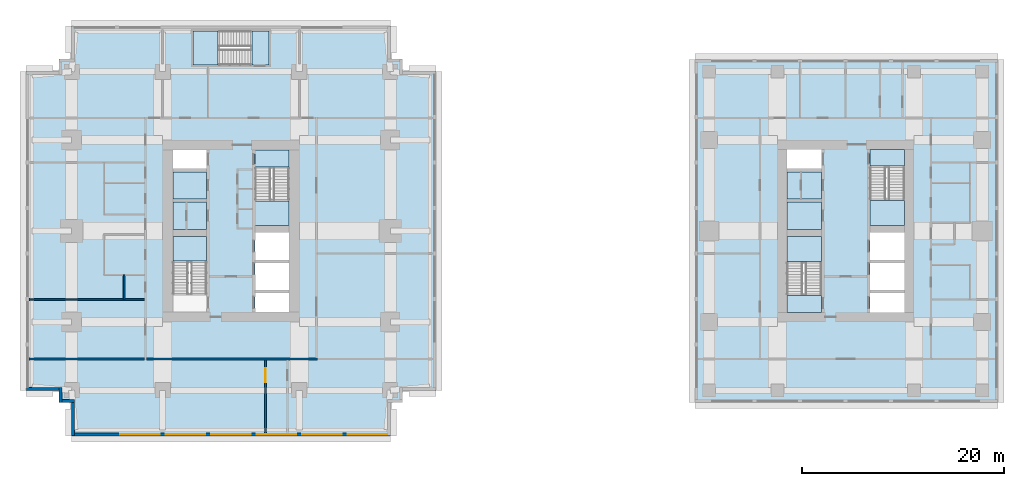
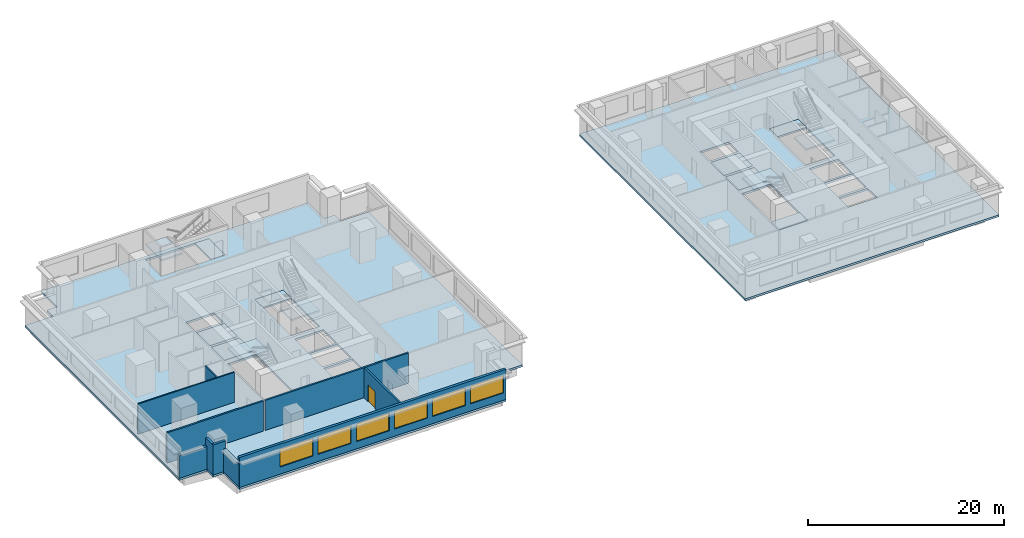
# One storey, part 2 of 11: 15 slabs, 10 walls, 6 windows, 1 door, 7 openings, 5 elements without a shape of their own.
"""IFC4 building model written with IfcOpenShell, lengths in metres."""

from ifc_helpers import new_model, si_unit, direction, frame, frame_2d, origin, place, context, subcontext, project, spatial, polyline, rectangle, outline, extrude, material, layer, layer_set, type_object, element, fill, aggregate, save


model = new_model("IFC4")

# Units and contexts
model_context = context("Model", 3, precision=1e-05, world=origin(), true_north=direction((0.0, 1.0)))
body_context = subcontext(model_context, "Body", "Model", "MODEL_VIEW")
ifc_project = project(units=[si_unit("LENGTHUNIT", "METRE"), si_unit("AREAUNIT", "SQUARE_METRE"), si_unit("VOLUMEUNIT", "CUBIC_METRE"), si_unit("PLANEANGLEUNIT", "RADIAN"), si_unit("MASSUNIT", "GRAM", prefix="KILO")], contexts=[model_context])

# Site, building, storey
site_placement = place(None, origin())
site = spatial("IfcSite", under=ifc_project, at=site_placement, CompositionType="ELEMENT")
building_placement = place(site_placement, origin())
building = spatial("IfcBuilding", under=site, at=building_placement, Name="Namib Vertical Campus", CompositionType="ELEMENT")
storey_placement = place(building_placement, frame((0.0, 0.0, 213.0)))
storey = spatial("IfcBuildingStorey", under=building, at=storey_placement, Name="L50", CompositionType="ELEMENT", Elevation=213.0)

# Slabs
ifc_material_1 = material(Name="Concrete C40/50", Category="concrete")
ifc_layer_1 = layer(ifc_material_1, 0.25)
ifc_layer_set_1 = layer_set([ifc_layer_1], Name="Concrete C40/50")
slab_type_1 = type_object("IfcSlabType", Name="Floor slab 250", PredefinedType="FLOOR", material=ifc_layer_set_1)
slab_1_placement = place(storey_placement, frame((0.0, 0.0, -0.25)))
element("IfcSlab", 1, at=slab_1_placement, inside=storey, type_object=slab_type_1, Name="Floor slab A L50", PredefinedType="FLOOR", context=body_context, shape_type="SweptSolid", body=[
    extrude(outline(polyline([(4.5, 0.0), (36.0, 0.0), (36.0, 3.27490234375), (37.22509765625, 3.27490234375), (37.22509765625, 4.5), (40.5, 4.5), (40.5, 36.0), (37.22509765625, 36.0), (37.22509765625, 37.22509765625), (36.0, 37.22509765625), (36.0, 40.5), (4.5, 40.5), (4.5, 37.22509765625), (3.27490234375, 37.22509765625), (3.27490234375, 36.0), (0.0, 36.0), (0.0, 4.5), (3.27490234375, 4.5), (3.27490234375, 3.27490234375), (4.5, 3.27490234375), (4.5, 0.0)]), holes=[polyline([(14.5, 12.25), (17.85009765625, 12.25), (17.85009765625, 19.699951171875), (14.5, 19.699951171875), (14.5, 12.25)]), polyline([(22.64990234375, 20.800048828125), (26.0, 20.800048828125), (26.0, 28.25), (22.64990234375, 28.25), (22.64990234375, 20.800048828125)]), polyline([(22.64990234375, 12.25), (26.0, 12.25), (26.0, 14.10009765625), (22.64990234375, 14.10009765625), (22.64990234375, 12.25)]), polyline([(14.5, 20.39990234375), (17.85009765625, 20.39990234375), (17.85009765625, 23.10009765625), (14.5, 23.10009765625), (14.5, 20.39990234375)]), polyline([(14.5, 23.39990234375), (17.85009765625, 23.39990234375), (17.85009765625, 26.10009765625), (14.5, 26.10009765625), (14.5, 23.39990234375)]), polyline([(14.5, 26.39990234375), (17.85009765625, 26.39990234375), (17.85009765625, 28.25), (14.5, 28.25), (14.5, 26.39990234375)]), polyline([(22.64990234375, 14.39990234375), (26.0, 14.39990234375), (26.0, 17.10009765625), (22.64990234375, 17.10009765625), (22.64990234375, 14.39990234375)]), polyline([(22.64990234375, 17.39990234375), (26.0, 17.39990234375), (26.0, 20.10009765625), (22.64990234375, 20.10009765625), (22.64990234375, 17.39990234375)]), polyline([(16.5, 36.64990234375), (24.0, 36.64990234375), (24.0, 40.0), (16.5, 40.0), (16.5, 36.64990234375)])]), origin(), (0.0, 0.0, 1.0), 0.25),
])
slab_2_placement = place(storey_placement, frame((0.0, 0.0, -0.25)))
element("IfcSlab", 2, at=slab_2_placement, inside=storey, type_object=slab_type_1, Name="Floor slab B L50", PredefinedType="FLOOR", context=body_context, shape_type="SweptSolid", body=[
    extrude(outline(polyline([(66.10009765625, 3.300048828125), (96.050048828125, 3.300048828125), (96.050048828125, 37.199951171875), (66.10009765625, 37.199951171875), (66.10009765625, 3.300048828125)]), holes=[polyline([(75.199951171875, 12.199951171875), (78.60009765625, 12.199951171875), (78.60009765625, 19.699951171875), (75.199951171875, 19.699951171875), (75.199951171875, 12.199951171875)]), polyline([(83.39990234375, 20.800048828125), (86.800048828125, 20.800048828125), (86.800048828125, 28.300048828125), (83.39990234375, 28.300048828125), (83.39990234375, 20.800048828125)]), polyline([(83.39990234375, 12.199951171875), (86.800048828125, 12.199951171875), (86.800048828125, 14.10009765625), (83.39990234375, 14.10009765625), (83.39990234375, 12.199951171875)]), polyline([(75.199951171875, 20.39990234375), (78.60009765625, 20.39990234375), (78.60009765625, 23.10009765625), (75.199951171875, 23.10009765625), (75.199951171875, 20.39990234375)]), polyline([(75.199951171875, 23.39990234375), (78.60009765625, 23.39990234375), (78.60009765625, 26.10009765625), (75.199951171875, 26.10009765625), (75.199951171875, 23.39990234375)]), polyline([(75.199951171875, 26.39990234375), (78.60009765625, 26.39990234375), (78.60009765625, 28.300048828125), (75.199951171875, 28.300048828125), (75.199951171875, 26.39990234375)]), polyline([(83.39990234375, 14.39990234375), (86.800048828125, 14.39990234375), (86.800048828125, 17.10009765625), (83.39990234375, 17.10009765625), (83.39990234375, 14.39990234375)]), polyline([(83.39990234375, 17.39990234375), (86.800048828125, 17.39990234375), (86.800048828125, 20.10009765625), (83.39990234375, 20.10009765625), (83.39990234375, 17.39990234375)])]), origin(), (0.0, 0.0, 1.0), 0.25),
])
ifc_material_2 = material(Name="Concrete C40/50 precast", Category="concrete")
ifc_layer_2 = layer(ifc_material_2, 0.25)
ifc_layer_set_2 = layer_set([ifc_layer_2], Name="Concrete C40/50 precast")
slab_type_2 = type_object("IfcSlabType", Name="Shaft infill floor 250", PredefinedType="FLOOR", material=ifc_layer_set_2)
slab_3_placement = place(storey_placement, frame((0.0, 0.0, -0.25)))
element("IfcSlab", 3, at=slab_3_placement, inside=storey, type_object=slab_type_2, Name="Shaft infill floor A L50 P1", PredefinedType="FLOOR", context=body_context, shape_type="SweptSolid", body=[
    extrude(outline(polyline([(14.5, 20.39990234375), (17.85009765625, 20.39990234375), (17.85009765625, 23.10009765625), (14.5, 23.10009765625), (14.5, 20.39990234375)])), origin(), (0.0, 0.0, 1.0), 0.25),
])
slab_4_placement = place(storey_placement, frame((0.0, 0.0, -0.25)))
element("IfcSlab", 4, at=slab_4_placement, inside=storey, type_object=slab_type_2, Name="Shaft infill floor A L50 P2", PredefinedType="FLOOR", context=body_context, shape_type="SweptSolid", body=[
    extrude(outline(polyline([(14.5, 23.39990234375), (17.85009765625, 23.39990234375), (17.85009765625, 26.10009765625), (14.5, 26.10009765625), (14.5, 23.39990234375)])), origin(), (0.0, 0.0, 1.0), 0.25),
])
slab_5_placement = place(storey_placement, frame((0.0, 0.0, -0.25)))
element("IfcSlab", 5, at=slab_5_placement, inside=storey, type_object=slab_type_2, Name="Shaft infill floor B L50 P1", PredefinedType="FLOOR", context=body_context, shape_type="SweptSolid", body=[
    extrude(outline(polyline([(75.199951171875, 20.39990234375), (78.60009765625, 20.39990234375), (78.60009765625, 23.10009765625), (75.199951171875, 23.10009765625), (75.199951171875, 20.39990234375)])), origin(), (0.0, 0.0, 1.0), 0.25),
])
slab_6_placement = place(storey_placement, frame((0.0, 0.0, -0.25)))
element("IfcSlab", 6, at=slab_6_placement, inside=storey, type_object=slab_type_2, Name="Shaft infill floor B L50 P2", PredefinedType="FLOOR", context=body_context, shape_type="SweptSolid", body=[
    extrude(outline(polyline([(75.199951171875, 23.39990234375), (78.60009765625, 23.39990234375), (78.60009765625, 26.10009765625), (75.199951171875, 26.10009765625), (75.199951171875, 23.39990234375)])), origin(), (0.0, 0.0, 1.0), 0.25),
])

# Stair, slab
ifc_material_3 = material(Name="Concrete C40/50 precast", Category="concrete")
stair_type_1 = type_object("IfcStairType", Name="Exit stair 4000 rise 24 risers 3350 wide", PredefinedType="HALF_TURN_STAIR", material=ifc_material_3)
stair_1_placement = place(storey_placement, origin())
stair_1 = element("IfcStair", 7, at=stair_1_placement, inside=storey, type_object=stair_type_1, Name="Exit stair A-S1 L50", PredefinedType="HALF_TURN_STAIR")
ifc_material_4 = material(Name="Concrete C40/50", Category="concrete")
ifc_layer_3 = layer(ifc_material_4, 0.199951171875)
ifc_layer_set_3 = layer_set([ifc_layer_3], Name="Concrete C40/50")
slab_type_3 = type_object("IfcSlabType", Name="Stair landing 200", PredefinedType="LANDING", material=ifc_layer_set_3)
slab_7_placement = place(storey_placement, frame((0.0, 0.0, 1.800048828125)))
slab_7 = element("IfcSlab", 8, at=slab_7_placement, type_object=slab_type_3, Name="A-S1 landing 2", PredefinedType="LANDING", context=body_context, shape_type="SweptSolid", body=[
    extrude(outline(polyline([(14.5, 17.276123046875), (17.85009765625, 17.276123046875), (17.85009765625, 19.699951171875), (14.5, 19.699951171875), (14.5, 17.276123046875)])), origin(), (0.0, 0.0, 1.0), 0.199951171875),
])
aggregate(stair_1, [slab_7])

# Stair, slabs
stair_2_placement = place(storey_placement, origin())
stair_2 = element("IfcStair", 9, at=stair_2_placement, inside=storey, type_object=stair_type_1, Name="Exit stair A-S2 L50", PredefinedType="HALF_TURN_STAIR")
slab_8_placement = place(storey_placement, frame((0.0, 0.0, -0.199951171875)))
slab_8 = element("IfcSlab", 10, at=slab_8_placement, type_object=slab_type_3, Name="A-S2 landing 1", PredefinedType="LANDING", context=body_context, shape_type="SweptSolid", body=[
    extrude(outline(polyline([(22.64990234375, 26.59619140625), (26.0, 26.59619140625), (26.0, 28.25), (22.64990234375, 28.25), (22.64990234375, 26.59619140625)])), origin(), (0.0, 0.0, 1.0), 0.199951171875),
])
slab_9_placement = place(storey_placement, frame((0.0, 0.0, 1.800048828125)))
slab_9 = element("IfcSlab", 11, at=slab_9_placement, type_object=slab_type_3, Name="A-S2 landing 2", PredefinedType="LANDING", context=body_context, shape_type="SweptSolid", body=[
    extrude(outline(polyline([(22.64990234375, 20.800048828125), (26.0, 20.800048828125), (26.0, 23.223876953125), (22.64990234375, 23.223876953125), (22.64990234375, 20.800048828125)])), origin(), (0.0, 0.0, 1.0), 0.199951171875),
])
aggregate(stair_2, [slab_8, slab_9])

ifc_material_5 = material(Name="Concrete C40/50 precast", Category="concrete")
stair_type_2 = type_object("IfcStairType", Name="Exit stair 4000 rise 24 risers 3400 wide", PredefinedType="HALF_TURN_STAIR", material=ifc_material_5)
stair_3_placement = place(storey_placement, origin())
stair_3 = element("IfcStair", 12, at=stair_3_placement, inside=storey, type_object=stair_type_2, Name="Exit stair B-S1 L50", PredefinedType="HALF_TURN_STAIR")
slab_10_placement = place(storey_placement, frame((0.0, 0.0, -0.199951171875)))
slab_10 = element("IfcSlab", 13, at=slab_10_placement, type_object=slab_type_3, Name="B-S1 landing 1", PredefinedType="LANDING", context=body_context, shape_type="SweptSolid", body=[
    extrude(outline(polyline([(75.199951171875, 12.199951171875), (78.60009765625, 12.199951171875), (78.60009765625, 13.85400390625), (75.199951171875, 13.85400390625), (75.199951171875, 12.199951171875)])), origin(), (0.0, 0.0, 1.0), 0.199951171875),
])
slab_11_placement = place(storey_placement, frame((0.0, 0.0, 1.800048828125)))
slab_11 = element("IfcSlab", 14, at=slab_11_placement, type_object=slab_type_3, Name="B-S1 landing 2", PredefinedType="LANDING", context=body_context, shape_type="SweptSolid", body=[
    extrude(outline(polyline([(75.199951171875, 17.22607421875), (78.60009765625, 17.22607421875), (78.60009765625, 19.699951171875), (75.199951171875, 19.699951171875), (75.199951171875, 17.22607421875)])), origin(), (0.0, 0.0, 1.0), 0.199951171875),
])
aggregate(stair_3, [slab_10, slab_11])

stair_4_placement = place(storey_placement, origin())
stair_4 = element("IfcStair", 15, at=stair_4_placement, inside=storey, type_object=stair_type_2, Name="Exit stair B-S2 L50", PredefinedType="HALF_TURN_STAIR")
slab_12_placement = place(storey_placement, frame((0.0, 0.0, -0.199951171875)))
slab_12 = element("IfcSlab", 16, at=slab_12_placement, type_object=slab_type_3, Name="B-S2 landing 1", PredefinedType="LANDING", context=body_context, shape_type="SweptSolid", body=[
    extrude(outline(polyline([(83.39990234375, 26.64599609375), (86.800048828125, 26.64599609375), (86.800048828125, 28.300048828125), (83.39990234375, 28.300048828125), (83.39990234375, 26.64599609375)])), origin(), (0.0, 0.0, 1.0), 0.199951171875),
])
slab_13_placement = place(storey_placement, frame((0.0, 0.0, 1.800048828125)))
slab_13 = element("IfcSlab", 17, at=slab_13_placement, type_object=slab_type_3, Name="B-S2 landing 2", PredefinedType="LANDING", context=body_context, shape_type="SweptSolid", body=[
    extrude(outline(polyline([(83.39990234375, 20.800048828125), (86.800048828125, 20.800048828125), (86.800048828125, 23.27392578125), (83.39990234375, 23.27392578125), (83.39990234375, 20.800048828125)])), origin(), (0.0, 0.0, 1.0), 0.199951171875),
])
aggregate(stair_4, [slab_12, slab_13])

stair_5_placement = place(storey_placement, origin())
stair_5 = element("IfcStair", 18, at=stair_5_placement, inside=storey, type_object=stair_type_1, Name="Exit stair A-S3 L50", PredefinedType="HALF_TURN_STAIR")
slab_14_placement = place(storey_placement, frame((0.0, 0.0, -0.199951171875)))
slab_14 = element("IfcSlab", 19, at=slab_14_placement, type_object=slab_type_3, Name="A-S3 landing 1", PredefinedType="LANDING", context=body_context, shape_type="SweptSolid", body=[
    extrude(outline(polyline([(22.34619140625, 36.64990234375), (22.34619140625, 40.0), (24.0, 40.0), (24.0, 36.64990234375), (22.34619140625, 36.64990234375)])), origin(), (0.0, 0.0, 1.0), 0.199951171875),
])
slab_15_placement = place(storey_placement, frame((0.0, 0.0, 1.800048828125)))
slab_15 = element("IfcSlab", 20, at=slab_15_placement, type_object=slab_type_3, Name="A-S3 landing 2", PredefinedType="LANDING", context=body_context, shape_type="SweptSolid", body=[
    extrude(outline(polyline([(16.5, 36.64990234375), (16.5, 40.0), (18.973876953125, 40.0), (18.973876953125, 36.64990234375), (16.5, 36.64990234375)])), origin(), (0.0, 0.0, 1.0), 0.199951171875),
])
aggregate(stair_5, [slab_14, slab_15])

# Wall
ifc_material_6 = material(Name="Concrete masonry", Category="masonry")
ifc_layer_4 = layer(ifc_material_6, 0.199951171875)
ifc_layer_set_4 = layer_set([ifc_layer_4], Name="Corridor wall 200")
wall_type_1 = type_object("IfcWallType", Name="Corridor wall 200", PredefinedType="SOLIDWALL", material=ifc_layer_set_4)
wall_1_placement = place(storey_placement, frame((11.89990234375, 7.60009765625, 0.0), z_axis=(0.0, 0.0, 1.0), x_axis=(1.0, 0.0, 0.0)))
element("IfcWall", 21, at=wall_1_placement, inside=storey, type_object=wall_type_1, Name="Corridor wall A L50 CS", PredefinedType="SOLIDWALL", context=body_context, shape_type="SweptSolid", body=[
    extrude(rectangle(XDim=16.900146484375, YDim=0.199951171875, at=frame_2d((8.4501953125, 0.0))), origin(), (0.0, 0.0, 1.0), 3.75),
])

# Wall, opening, door
wall_2_placement = place(storey_placement, frame((23.64990234375, 0.300048828125, 0.0), z_axis=(0.0, 0.0, 1.0), x_axis=(0.0, 1.0, 0.0)))
wall_2 = element("IfcWall", 22, at=wall_2_placement, inside=storey, type_object=wall_type_1, Name="Corridor wall A L50 SPS1", PredefinedType="SOLIDWALL", context=body_context, shape_type="SweptSolid", body=[
    extrude(rectangle(XDim=7.199951171875, YDim=0.199951171875, at=frame_2d((3.60009765625, 0.0))), origin(), (0.0, 0.0, 1.0), 3.75),
])
opening_1_placement = place(wall_2_placement, frame((5.0, 0.0, 0.0)))
opening_1 = element("IfcOpeningElement", 23, at=opening_1_placement, cuts=wall_2, Name="Opening LB1", PredefinedType="OPENING", context=body_context, shape_type="SweptSolid", body=[
    extrude(rectangle(XDim=1.39990234375, YDim=2.10009765625, at=frame_2d((0.699951171875, 1.050048828125))), frame((0.0, 0.10986328125, 0.0), z_axis=(0.0, -1.0, 0.0), x_axis=(1.0, 0.0, 0.0)), (0.0, 0.0, 1.0), 0.219970703125),
])
ifc_material_7 = material(Name="Timber fire door leaf", Category="wood")
door_type = type_object("IfcDoorType", Name="Laboratory door 1400x2100 leaf and a half", OperationType="DOUBLE_DOOR_SINGLE_SWING", PredefinedType="DOOR", material=ifc_material_7)
door_placement = place(opening_1_placement, origin())
door = element("IfcDoor", 24, at=door_placement, inside=storey, type_object=door_type, Name="Door LB1 A50-01", OperationType="DOUBLE_DOOR_SINGLE_SWING", OverallHeight=2.10009765625, OverallWidth=1.39990234375, PredefinedType="DOOR", context=body_context, shape_type="SweptSolid", body=[
    extrude(rectangle(XDim=1.39990234375, YDim=2.10009765625, at=frame_2d((0.699951171875, 1.050048828125))), frame((0.0, 0.02490234375, 0.0), z_axis=(0.0, -1.0, 0.0), x_axis=(1.0, 0.0, 0.0)), (0.0, 0.0, 1.0), 0.050048828125),
])
fill(opening_1, door)

# Wall
wall_3_placement = place(storey_placement, frame((0.300048828125, 7.60009765625, 0.0), z_axis=(0.0, 0.0, 1.0), x_axis=(1.0, 0.0, 0.0)))
element("IfcWall", 25, at=wall_3_placement, inside=storey, type_object=wall_type_1, Name="Partition A L50 BSW", PredefinedType="SOLIDWALL", context=body_context, shape_type="SweptSolid", body=[
    extrude(rectangle(XDim=11.39990234375, YDim=0.199951171875, at=frame_2d((5.699951171875, 0.0))), origin(), (0.0, 0.0, 1.0), 3.75),
])

# Wall, openings, windows
ifc_material_8 = material(Name="Concrete C40/50", Category="concrete")
ifc_layer_5 = layer(ifc_material_8, 0.300048828125)
ifc_layer_set_5 = layer_set([ifc_layer_5], Name="Concrete C40/50")
wall_type_2 = type_object("IfcWallType", Name="External wall 300 board-marked concrete", PredefinedType="STANDARD", material=ifc_layer_set_5)
wall_4_placement = place(storey_placement, frame((4.52001953125, 0.14990234375, 0.0), z_axis=(0.0, 0.0, 1.0), x_axis=(1.0, 0.0, 0.0)))
wall_4 = element("IfcWall", 26, at=wall_4_placement, inside=storey, type_object=wall_type_2, Name="External wall L50 F01", PredefinedType="STANDARD", context=body_context, shape_type="SweptSolid", body=[
    extrude(rectangle(XDim=31.4599609375, YDim=0.300048828125, at=frame_2d((15.72998046875, 0.0))), origin(), (0.0, 0.0, 1.0), 3.75),
])
opening_2_placement = place(wall_4_placement, frame((4.780029296875, 0.0, 0.89990234375)))
opening_2 = element("IfcOpeningElement", 27, at=opening_2_placement, cuts=wall_4, Name="Opening W1", PredefinedType="OPENING", context=body_context, shape_type="SweptSolid", body=[
    extrude(rectangle(XDim=3.89990234375, YDim=2.199951171875, at=frame_2d((1.949951171875, 1.10009765625))), frame((0.0, 0.159912109375, 0.0), z_axis=(0.0, -1.0, 0.0), x_axis=(1.0, 0.0, 0.0)), (0.0, 0.0, 1.0), 0.320068359375),
])
opening_3_placement = place(wall_4_placement, frame((9.280029296875, 0.0, 0.89990234375)))
opening_3 = element("IfcOpeningElement", 28, at=opening_3_placement, cuts=wall_4, Name="Opening W1", PredefinedType="OPENING", context=body_context, shape_type="SweptSolid", body=[
    extrude(rectangle(XDim=3.89990234375, YDim=2.199951171875, at=frame_2d((1.949951171875, 1.10009765625))), frame((0.0, 0.159912109375, 0.0), z_axis=(0.0, -1.0, 0.0), x_axis=(1.0, 0.0, 0.0)), (0.0, 0.0, 1.0), 0.320068359375),
])
opening_4_placement = place(wall_4_placement, frame((13.780029296875, 0.0, 0.89990234375)))
opening_4 = element("IfcOpeningElement", 29, at=opening_4_placement, cuts=wall_4, Name="Opening W1", PredefinedType="OPENING", context=body_context, shape_type="SweptSolid", body=[
    extrude(rectangle(XDim=3.89990234375, YDim=2.199951171875, at=frame_2d((1.949951171875, 1.10009765625))), frame((0.0, 0.159912109375, 0.0), z_axis=(0.0, -1.0, 0.0), x_axis=(1.0, 0.0, 0.0)), (0.0, 0.0, 1.0), 0.320068359375),
])
opening_5_placement = place(wall_4_placement, frame((18.280029296875, 0.0, 0.89990234375)))
opening_5 = element("IfcOpeningElement", 30, at=opening_5_placement, cuts=wall_4, Name="Opening W1", PredefinedType="OPENING", context=body_context, shape_type="SweptSolid", body=[
    extrude(rectangle(XDim=3.89990234375, YDim=2.199951171875, at=frame_2d((1.949951171875, 1.10009765625))), frame((0.0, 0.159912109375, 0.0), z_axis=(0.0, -1.0, 0.0), x_axis=(1.0, 0.0, 0.0)), (0.0, 0.0, 1.0), 0.320068359375),
])
opening_6_placement = place(wall_4_placement, frame((22.780029296875, 0.0, 0.89990234375)))
opening_6 = element("IfcOpeningElement", 31, at=opening_6_placement, cuts=wall_4, Name="Opening W1", PredefinedType="OPENING", context=body_context, shape_type="SweptSolid", body=[
    extrude(rectangle(XDim=3.89990234375, YDim=2.199951171875, at=frame_2d((1.949951171875, 1.10009765625))), frame((0.0, 0.159912109375, 0.0), z_axis=(0.0, -1.0, 0.0), x_axis=(1.0, 0.0, 0.0)), (0.0, 0.0, 1.0), 0.320068359375),
])
opening_7_placement = place(wall_4_placement, frame((27.280029296875, 0.0, 0.89990234375)))
opening_7 = element("IfcOpeningElement", 32, at=opening_7_placement, cuts=wall_4, Name="Opening W1", PredefinedType="OPENING", context=body_context, shape_type="SweptSolid", body=[
    extrude(rectangle(XDim=3.89990234375, YDim=2.199951171875, at=frame_2d((1.949951171875, 1.10009765625))), frame((0.0, 0.159912109375, 0.0), z_axis=(0.0, -1.0, 0.0), x_axis=(1.0, 0.0, 0.0)), (0.0, 0.0, 1.0), 0.320068359375),
])
ifc_material_9 = material(Name="Dark tinted glass in black aluminium frame", Category="aluminium")
window_type = type_object("IfcWindowType", Name="Ribbon window 3900x2200", PartitioningType="SINGLE_PANEL", PredefinedType="WINDOW", material=ifc_material_9)
window_1_placement = place(opening_2_placement, origin())
window_1 = element("IfcWindow", 33, at=window_1_placement, inside=storey, type_object=window_type, Name="Window W1 L50 F01-2", OverallHeight=2.199951171875, OverallWidth=3.89990234375, PartitioningType="SINGLE_PANEL", PredefinedType="WINDOW", context=body_context, shape_type="SweptSolid", body=[
    extrude(rectangle(XDim=3.89990234375, YDim=2.199951171875, at=frame_2d((1.949951171875, 1.10009765625))), frame((0.0, 0.030029296875, 0.0), z_axis=(0.0, -1.0, 0.0), x_axis=(1.0, 0.0, 0.0)), (0.0, 0.0, 1.0), 0.06005859375),
])
fill(opening_2, window_1)
window_2_placement = place(opening_3_placement, origin())
window_2 = element("IfcWindow", 34, at=window_2_placement, inside=storey, type_object=window_type, Name="Window W1 L50 F01-3", OverallHeight=2.199951171875, OverallWidth=3.89990234375, PartitioningType="SINGLE_PANEL", PredefinedType="WINDOW", context=body_context, shape_type="SweptSolid", body=[
    extrude(rectangle(XDim=3.89990234375, YDim=2.199951171875, at=frame_2d((1.949951171875, 1.10009765625))), frame((0.0, 0.030029296875, 0.0), z_axis=(0.0, -1.0, 0.0), x_axis=(1.0, 0.0, 0.0)), (0.0, 0.0, 1.0), 0.06005859375),
])
fill(opening_3, window_2)
window_3_placement = place(opening_4_placement, origin())
window_3 = element("IfcWindow", 35, at=window_3_placement, inside=storey, type_object=window_type, Name="Window W1 L50 F01-4", OverallHeight=2.199951171875, OverallWidth=3.89990234375, PartitioningType="SINGLE_PANEL", PredefinedType="WINDOW", context=body_context, shape_type="SweptSolid", body=[
    extrude(rectangle(XDim=3.89990234375, YDim=2.199951171875, at=frame_2d((1.949951171875, 1.10009765625))), frame((0.0, 0.030029296875, 0.0), z_axis=(0.0, -1.0, 0.0), x_axis=(1.0, 0.0, 0.0)), (0.0, 0.0, 1.0), 0.06005859375),
])
fill(opening_4, window_3)
window_4_placement = place(opening_5_placement, origin())
window_4 = element("IfcWindow", 36, at=window_4_placement, inside=storey, type_object=window_type, Name="Window W1 L50 F01-5", OverallHeight=2.199951171875, OverallWidth=3.89990234375, PartitioningType="SINGLE_PANEL", PredefinedType="WINDOW", context=body_context, shape_type="SweptSolid", body=[
    extrude(rectangle(XDim=3.89990234375, YDim=2.199951171875, at=frame_2d((1.949951171875, 1.10009765625))), frame((0.0, 0.030029296875, 0.0), z_axis=(0.0, -1.0, 0.0), x_axis=(1.0, 0.0, 0.0)), (0.0, 0.0, 1.0), 0.06005859375),
])
fill(opening_5, window_4)
window_5_placement = place(opening_6_placement, origin())
window_5 = element("IfcWindow", 37, at=window_5_placement, inside=storey, type_object=window_type, Name="Window W1 L50 F01-6", OverallHeight=2.199951171875, OverallWidth=3.89990234375, PartitioningType="SINGLE_PANEL", PredefinedType="WINDOW", context=body_context, shape_type="SweptSolid", body=[
    extrude(rectangle(XDim=3.89990234375, YDim=2.199951171875, at=frame_2d((1.949951171875, 1.10009765625))), frame((0.0, 0.030029296875, 0.0), z_axis=(0.0, -1.0, 0.0), x_axis=(1.0, 0.0, 0.0)), (0.0, 0.0, 1.0), 0.06005859375),
])
fill(opening_6, window_5)
window_6_placement = place(opening_7_placement, origin())
window_6 = element("IfcWindow", 38, at=window_6_placement, inside=storey, type_object=window_type, Name="Window W1 L50 F01-7", OverallHeight=2.199951171875, OverallWidth=3.89990234375, PartitioningType="SINGLE_PANEL", PredefinedType="WINDOW", context=body_context, shape_type="SweptSolid", body=[
    extrude(rectangle(XDim=3.89990234375, YDim=2.199951171875, at=frame_2d((1.949951171875, 1.10009765625))), frame((0.0, 0.030029296875, 0.0), z_axis=(0.0, -1.0, 0.0), x_axis=(1.0, 0.0, 0.0)), (0.0, 0.0, 1.0), 0.06005859375),
])
fill(opening_7, window_6)

# Walls
wall_5_placement = place(storey_placement, frame((0.02001953125, 4.64990234375, 0.0), z_axis=(0.0, 0.0, 1.0), x_axis=(1.0, 0.0, 0.0)))
element("IfcWall", 39, at=wall_5_placement, inside=storey, type_object=wall_type_2, Name="External wall L50 F17", PredefinedType="STANDARD", context=body_context, shape_type="SweptSolid", body=[
    extrude(rectangle(XDim=3.534912109375, YDim=0.300048828125, at=frame_2d((1.767578125, 0.0))), origin(), (0.0, 0.0, 1.0), 2.85009765625),
])
for number, where, z_axis, x_axis, name in (
    (40, (3.425048828125, 4.780029296875, 0.0), (0.0, 0.0, 1.0), (0.0, -1.0, 0.0), "External wall L50 F18"),
    (41, (3.294921875, 3.425048828125, 0.0), (0.0, 0.0, 1.0), (1.0, 0.0, 0.0), "External wall L50 F19"),
):
    element("IfcWall", number, at=place(storey_placement, frame(where, z_axis=z_axis, x_axis=x_axis)), inside=storey, type_object=wall_type_2, Name=name, PredefinedType="STANDARD", context=body_context, shape_type="SweptSolid", body=[
        extrude(rectangle(XDim=1.485107421875, YDim=0.300048828125, at=frame_2d((0.74267578125, 0.0))), origin(), (0.0, 0.0, 1.0), 3.75),
    ])
wall_6_placement = place(storey_placement, frame((4.64990234375, 3.554931640625, 0.0), z_axis=(0.0, 0.0, 1.0), x_axis=(0.0, -1.0, 0.0)))
element("IfcWall", 42, at=wall_6_placement, inside=storey, type_object=wall_type_2, Name="External wall L50 F20", PredefinedType="STANDARD", context=body_context, shape_type="SweptSolid", body=[
    extrude(rectangle(XDim=3.534912109375, YDim=0.300048828125, at=frame_2d((1.767578125, 0.0))), origin(), (0.0, 0.0, 1.0), 2.85009765625),
])
ifc_material_10 = material(Name="Gypsum board on steel studs", Category="steel")
ifc_layer_6 = layer(ifc_material_10, 0.14990234375)
ifc_layer_set_6 = layer_set([ifc_layer_6], Name="Gypsum board on steel studs")
wall_type_3 = type_object("IfcWallType", Name="Partition 150", PredefinedType="PARTITIONING", material=ifc_layer_set_6)
wall_7_placement = place(storey_placement, frame((0.300048828125, 13.5, 0.0), z_axis=(0.0, 0.0, 1.0), x_axis=(1.0, 0.0, 0.0)))
element("IfcWall", 43, at=wall_7_placement, inside=storey, type_object=wall_type_3, Name="Partition A L50 PW1", PredefinedType="PARTITIONING", context=body_context, shape_type="SweptSolid", body=[
    extrude(rectangle(XDim=11.39990234375, YDim=0.14990234375, at=frame_2d((5.699951171875, 0.0))), origin(), (0.0, 0.0, 1.0), 3.75),
])
wall_8_placement = place(storey_placement, frame((9.699951171875, 13.5, 0.0), z_axis=(0.0, 0.0, 1.0), x_axis=(0.0, 1.0, 0.0)))
element("IfcWall", 44, at=wall_8_placement, inside=storey, type_object=wall_type_3, Name="Partition A L50 WB1", PredefinedType="PARTITIONING", context=body_context, shape_type="SweptSolid", body=[
    extrude(rectangle(XDim=2.39990234375, YDim=0.14990234375, at=frame_2d((1.199951171875, 0.0))), origin(), (0.0, 0.0, 1.0), 3.75),
])

save(model, "model.ifc")
